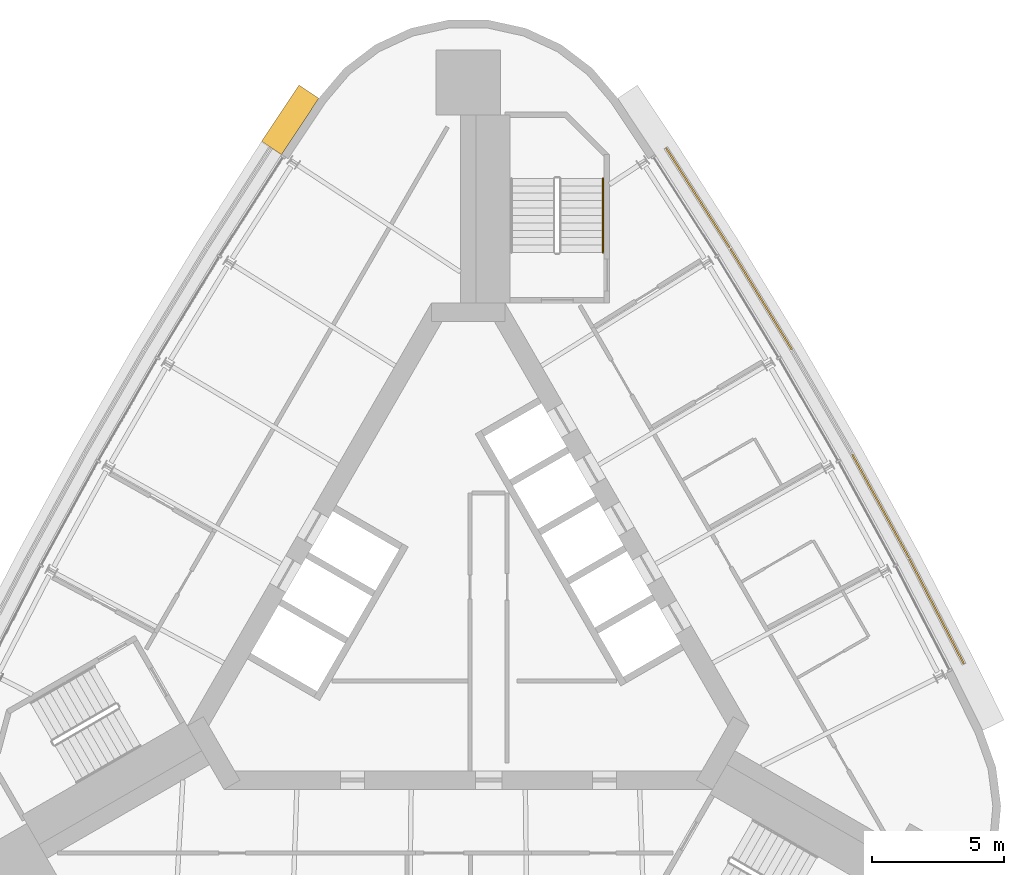
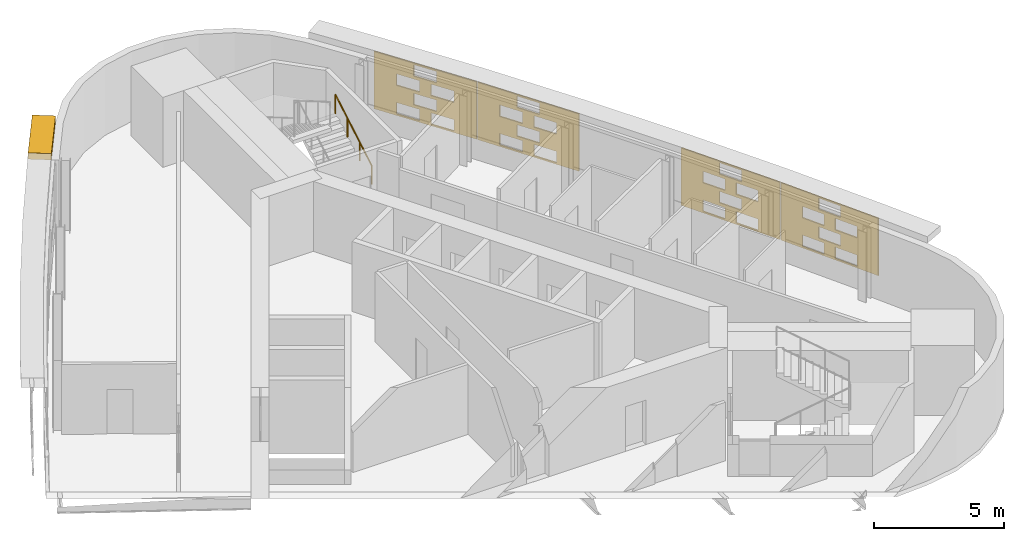
# One storey, part 10 of 10: 5 shading devices, 1 railing.
"""IFC4 building model written with IfcOpenShell, lengths in metres."""

from ifc_helpers import new_model, si_unit, direction, frame, origin, origin_2d, place, context, subcontext, project, spatial, polyline, circle, outline, extrude, material, material_profile, profile_set, type_object, element, save


model = new_model("IFC4")

# Units and contexts
model_context = context("Model", 3, precision=1e-05, world=origin(), true_north=direction((0.0, 1.0)))
body_context = subcontext(model_context, "Body", "Model", "MODEL_VIEW")
ifc_project = project(units=[si_unit("LENGTHUNIT", "METRE"), si_unit("AREAUNIT", "SQUARE_METRE"), si_unit("VOLUMEUNIT", "CUBIC_METRE"), si_unit("PLANEANGLEUNIT", "RADIAN"), si_unit("MASSUNIT", "GRAM", prefix="KILO")], contexts=[model_context])

# Site, building, storey
site_placement = place(None, origin())
site = spatial("IfcSite", under=ifc_project, at=site_placement, CompositionType="ELEMENT")
building_placement = place(site_placement, origin())
building = spatial("IfcBuilding", under=site, at=building_placement, Name="Noor Cloister Tower", CompositionType="ELEMENT")
storey_placement = place(building_placement, frame((0.0, 0.0, 247.199951171875)))
storey = spatial("IfcBuildingStorey", under=building, at=storey_placement, Name="L64", CompositionType="ELEMENT", Elevation=247.199951171875)

# Shading devices
ifc_material_1 = material(Name="Limestone", Category="masonry")
ifc_material_profile = material_profile(ifc_material_1, outline(polyline([(-2.22998046875, -1.35009765625), (2.22998046875, -1.35009765625), (2.22998046875, 1.35009765625), (-2.22998046875, 1.35009765625), (-2.22998046875, -1.35009765625)]), holes=[polyline([(-1.25, -1.282470703125), (-0.25, -1.282470703125), (-0.25, -0.742431640625), (-1.25, -0.742431640625), (-1.25, -1.282470703125)]), polyline([(0.25, -1.282470703125), (1.25, -1.282470703125), (1.25, -0.742431640625), (0.25, -0.742431640625), (0.25, -1.282470703125)]), polyline([(-0.5, -0.607421875), (0.5, -0.607421875), (0.5, -0.0673828125), (-0.5, -0.0673828125), (-0.5, -0.607421875)]), polyline([(-1.25, 0.0673828125), (-0.25, 0.0673828125), (-0.25, 0.607421875), (-1.25, 0.607421875), (-1.25, 0.0673828125)]), polyline([(0.25, 0.0673828125), (1.25, 0.0673828125), (1.25, 0.607421875), (0.25, 0.607421875), (0.25, 0.0673828125)]), polyline([(-0.5, 0.742431640625), (0.5, 0.742431640625), (0.5, 1.282470703125), (-0.5, 1.282470703125), (-0.5, 0.742431640625)])]), Name="Woven screen 35 percent open")
ifc_profile_set = profile_set([ifc_material_profile], Name="Limestone")
shading_device_type_1 = type_object("IfcShadingDeviceType", Name="SCREEN woven limestone 35 percent open", PredefinedType="USERDEFINED", material=ifc_profile_set)
shading_device_1_placement = place(storey_placement, frame((17.666259765625, -0.212158203125, 1.85009765625), z_axis=(0.887816162103, 0.460198285861, 0.0), x_axis=(-0.460198285861, 0.887816162103, 0.0)))
element("IfcShadingDevice", 1, at=shading_device_1_placement, inside=storey, type_object=shading_device_type_1, Name="SCREEN L64 1", ObjectType="SCREEN", PredefinedType="USERDEFINED", context=body_context, shape_type="SweptSolid", body=[
    extrude(outline(polyline([(-2.22998046875, -1.35009765625), (2.22998046875, -1.35009765625), (2.22998046875, 1.35009765625), (-2.22998046875, 1.35009765625), (-2.22998046875, -1.35009765625)]), holes=[polyline([(-1.25, -1.282470703125), (-0.25, -1.282470703125), (-0.25, -0.742431640625), (-1.25, -0.742431640625), (-1.25, -1.282470703125)]), polyline([(0.25, -1.282470703125), (1.25, -1.282470703125), (1.25, -0.742431640625), (0.25, -0.742431640625), (0.25, -1.282470703125)]), polyline([(-0.5, -0.607421875), (0.5, -0.607421875), (0.5, -0.0673828125), (-0.5, -0.0673828125), (-0.5, -0.607421875)]), polyline([(-1.25, 0.0673828125), (-0.25, 0.0673828125), (-0.25, 0.607421875), (-1.25, 0.607421875), (-1.25, 0.0673828125)]), polyline([(0.25, 0.0673828125), (1.25, 0.0673828125), (1.25, 0.607421875), (0.25, 0.607421875), (0.25, 0.0673828125)]), polyline([(-0.5, 0.742431640625), (0.5, 0.742431640625), (0.5, 1.282470703125), (-0.5, 1.282470703125), (-0.5, 0.742431640625)])]), origin(), (0.0, 0.0, 1.0), 0.06005859375),
])
shading_device_2_placement = place(storey_placement, frame((15.546875, 3.768798828125, 1.85009765625), z_axis=(0.876645997325, 0.481135942718, 0.0), x_axis=(-0.481135942718, 0.876645997325, 0.0)))
element("IfcShadingDevice", 2, at=shading_device_2_placement, inside=storey, type_object=shading_device_type_1, Name="SCREEN L64 2", ObjectType="SCREEN", PredefinedType="USERDEFINED", context=body_context, shape_type="SweptSolid", body=[
    extrude(outline(polyline([(-2.22998046875, -1.35009765625), (2.22998046875, -1.35009765625), (2.22998046875, 1.35009765625), (-2.22998046875, 1.35009765625), (-2.22998046875, -1.35009765625)]), holes=[polyline([(-1.25, -1.282470703125), (-0.25, -1.282470703125), (-0.25, -0.742431640625), (-1.25, -0.742431640625), (-1.25, -1.282470703125)]), polyline([(0.25, -1.282470703125), (1.25, -1.282470703125), (1.25, -0.742431640625), (0.25, -0.742431640625), (0.25, -1.282470703125)]), polyline([(-0.5, -0.607421875), (0.5, -0.607421875), (0.5, -0.0673828125), (-0.5, -0.0673828125), (-0.5, -0.607421875)]), polyline([(-1.25, 0.0673828125), (-0.25, 0.0673828125), (-0.25, 0.607421875), (-1.25, 0.607421875), (-1.25, 0.0673828125)]), polyline([(0.25, 0.0673828125), (1.25, 0.0673828125), (1.25, 0.607421875), (0.25, 0.607421875), (0.25, 0.0673828125)]), polyline([(-0.5, 0.742431640625), (0.5, 0.742431640625), (0.5, 1.282470703125), (-0.5, 1.282470703125), (-0.5, 0.742431640625)])]), origin(), (0.0, 0.0, 1.0), 0.059814453125),
])
for number, where, z_axis, x_axis, name in (
    (3, (11.037109375, 11.57958984375, 1.85009765625), (0.853884327381, 0.520462828118, 0.0), (-0.520462828118, 0.853884327381, 0.0), "SCREEN L64 4"),
    (4, (8.649169921875, 15.405517578125, 1.85009765625), (0.8431579539, 0.537665941617, 0.0), (-0.537665941617, 0.8431579539, 0.0), "SCREEN L64 5"),
):
    element("IfcShadingDevice", number, at=place(storey_placement, frame(where, z_axis=z_axis, x_axis=x_axis)), inside=storey, type_object=shading_device_type_1, Name=name, ObjectType="SCREEN", PredefinedType="USERDEFINED", context=body_context, shape_type="SweptSolid", body=[
        extrude(outline(polyline([(-2.22998046875, -1.35009765625), (2.22998046875, -1.35009765625), (2.22998046875, 1.35009765625), (-2.22998046875, 1.35009765625), (-2.22998046875, -1.35009765625)]), holes=[polyline([(-1.25, -1.282470703125), (-0.25, -1.282470703125), (-0.25, -0.742431640625), (-1.25, -0.742431640625), (-1.25, -1.282470703125)]), polyline([(0.25, -1.282470703125), (1.25, -1.282470703125), (1.25, -0.742431640625), (0.25, -0.742431640625), (0.25, -1.282470703125)]), polyline([(-0.5, -0.607421875), (0.5, -0.607421875), (0.5, -0.0673828125), (-0.5, -0.0673828125), (-0.5, -0.607421875)]), polyline([(-1.25, 0.0673828125), (-0.25, 0.0673828125), (-0.25, 0.607421875), (-1.25, 0.607421875), (-1.25, 0.0673828125)]), polyline([(0.25, 0.0673828125), (1.25, 0.0673828125), (1.25, 0.607421875), (0.25, 0.607421875), (0.25, 0.0673828125)]), polyline([(-0.5, 0.742431640625), (0.5, 0.742431640625), (0.5, 1.282470703125), (-0.5, 1.282470703125), (-0.5, 0.742431640625)])]), origin(), (0.0, 0.0, 1.0), 0.06005859375),
    ])
ifc_material_2 = material(Name="Limestone", Category="masonry")
shading_device_type_2 = type_object("IfcShadingDeviceType", Name="SUNSHADE limestone band 900", PredefinedType="USERDEFINED", material=ifc_material_2)
shading_device_3_placement = place(storey_placement, frame((0.0, 0.0, 3.300048828125)))
element("IfcShadingDevice", 5, at=shading_device_3_placement, inside=storey, type_object=shading_device_type_2, Name="SUNSHADE L64 4", ObjectType="SUNSHADE", PredefinedType="USERDEFINED", context=body_context, shape_type="SweptSolid", body=[
    extrude(outline(polyline([(-6.39306640625, 19.67919921875), (-7.806396484375, 17.556396484375), (-7.05712890625, 17.0576171875), (-5.643798828125, 19.180419921875), (-6.39306640625, 19.67919921875)])), origin(), (0.0, 0.0, 1.0), 0.300048828125),
])

# Railing
ifc_material_3 = material(Name="Stainless steel", Category="steel")
railing_type = type_object("IfcRailingType", Name="Stair handrail 900", PredefinedType="HANDRAIL", material=ifc_material_3)
railing_placement = place(storey_placement, frame((5.085693359375, 13.3564453125, 0.16357421875)))
element("IfcRailing", 6, at=railing_placement, inside=storey, type_object=railing_type, Name="Stair handrail ST1 L64 1", PredefinedType="HANDRAIL", context=body_context, shape_type="SweptSolid", body=[
    extrude(circle(Radius=0.02392578125, at=origin_2d()), frame((0.0, 0.0, 0.8759765625), z_axis=(0.0, 0.863360870873, 0.504586966384), x_axis=(-1.0, 0.0, 0.0)), (0.0, 0.0, 1.0), 3.2431640625),
    extrude(circle(Radius=0.02099609375, at=origin_2d()), origin(), (0.0, 0.0, 1.0), 0.851806640625),
    extrude(circle(Radius=0.02099609375, at=origin_2d()), frame((0.0, 0.933349609375, 0.54541015625)), (0.0, 0.0, 1.0), 0.851806640625),
    extrude(circle(Radius=0.02099609375, at=origin_2d()), frame((0.0, 1.86669921875, 1.091064453125)), (0.0, 0.0, 1.0), 0.851806640625),
    extrude(circle(Radius=0.02099609375, at=origin_2d()), frame((0.0, 2.800048828125, 1.636474609375)), (0.0, 0.0, 1.0), 0.851806640625),
])

save(model, "model.ifc")
